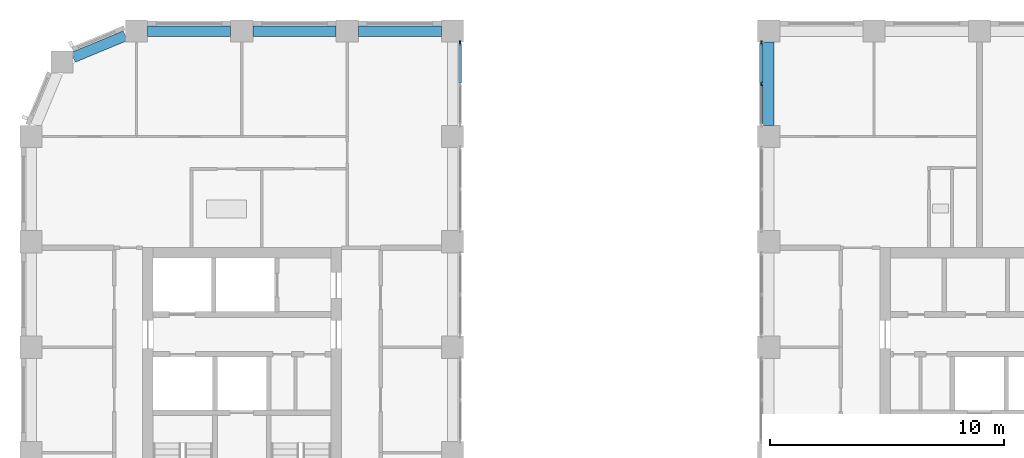
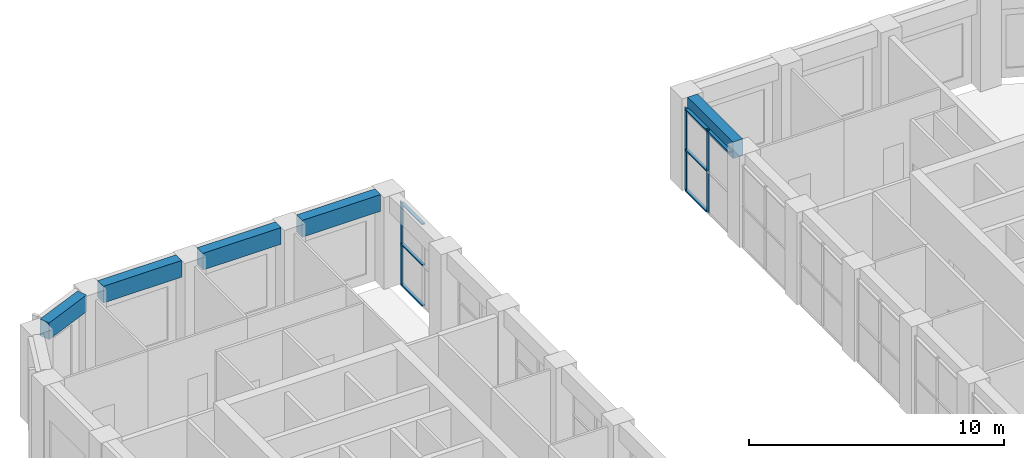
# One storey, part 6 of 19: 10 members, 5 beams, 2 elements without a shape of their own.
"""IFC4 building model written with IfcOpenShell, lengths in metres."""

from ifc_helpers import new_model, si_unit, direction, frame, origin, origin_2d, place, context, subcontext, project, spatial, rectangle, extrude, material, material_profile, profile_set, type_object, element, aggregate, save


model = new_model("IFC4")

# Units and contexts
model_context = context("Model", 3, precision=1e-05, world=origin(), true_north=direction((0.0, 1.0)))
body_context = subcontext(model_context, "Body", "Model", "MODEL_VIEW")
ifc_project = project(units=[si_unit("LENGTHUNIT", "METRE"), si_unit("AREAUNIT", "SQUARE_METRE"), si_unit("VOLUMEUNIT", "CUBIC_METRE"), si_unit("PLANEANGLEUNIT", "RADIAN"), si_unit("MASSUNIT", "GRAM", prefix="KILO")], contexts=[model_context])

# Site, building, storey
site_placement = place(None, origin())
site = spatial("IfcSite", under=ifc_project, at=site_placement, CompositionType="ELEMENT")
building_placement = place(site_placement, origin())
building = spatial("IfcBuilding", under=site, at=building_placement, Name="Girih Gate Residences", CompositionType="ELEMENT")
storey_placement = place(building_placement, frame((0.0, 0.0, 163.800048828125)))
storey = spatial("IfcBuildingStorey", under=building, at=storey_placement, Name="L45", CompositionType="ELEMENT", Elevation=163.800048828125)

# Curtain wall, member
ifc_material_1 = material(Name="Aluminium curtain wall frame", Category="aluminium")
curtain_wall_type = type_object("IfcCurtainWallType", Name="Curtain wall CW-7 portal lounge glazing", PredefinedType="NOTDEFINED", material=ifc_material_1)
curtain_wall_1_placement = place(storey_placement, origin())
curtain_wall_1 = element("IfcCurtainWall", 1, at=curtain_wall_1_placement, inside=storey, type_object=curtain_wall_type, Name="CW-7 Portal lounge glazing E0180_0000.10", PredefinedType="NOTDEFINED")
ifc_material_profile_1 = material_profile(ifc_material_1, rectangle(XDim=0.06005859375, YDim=0.179931640625, at=origin_2d()))
ifc_profile_set_1 = profile_set([ifc_material_profile_1], Name="Aluminium curtain wall frame")
member_type_1 = type_object("IfcMemberType", Name="Curtain wall mullion 60x180", PredefinedType="MULLION", material=ifc_profile_set_1)
member_1_placement = place(storey_placement, frame((18.31494140625, 48.9951171875, 0.0), z_axis=(0.0, 0.0, 1.0), x_axis=(-1.0, 0.0, 0.0)))
member_1 = element("IfcMember", 2, at=member_1_placement, type_object=member_type_1, Name="CW-7 mullion 3", PredefinedType="MULLION", context=body_context, shape_type="SweptSolid", body=[
    extrude(rectangle(XDim=0.06005859375, YDim=0.179931640625, at=origin_2d()), origin(), (0.0, 0.0, 1.0), 3.949951171875),
])

# Curtain wall, members
curtain_wall_2_placement = place(storey_placement, origin())
curtain_wall_2 = element("IfcCurtainWall", 3, at=curtain_wall_2_placement, inside=storey, type_object=curtain_wall_type, Name="CW-7 Portal lounge glazing W0315_0495.0", PredefinedType="NOTDEFINED")
member_2_placement = place(storey_placement, frame((31.18505859375, 48.9951171875, 0.0), z_axis=(0.0, 0.0, 1.0), x_axis=(1.0, 0.0, 0.0)))
member_2 = element("IfcMember", 4, at=member_2_placement, type_object=member_type_1, Name="CW-7 mullion 1", PredefinedType="MULLION", context=body_context, shape_type="SweptSolid", body=[
    extrude(rectangle(XDim=0.06005859375, YDim=0.179931640625, at=origin_2d()), origin(), (0.0, 0.0, 1.0), 3.949951171875),
])
member_3_placement = place(storey_placement, frame((31.18505859375, 47.25, 0.0), z_axis=(0.0, 0.0, 1.0), x_axis=(1.0, 0.0, 0.0)))
member_3 = element("IfcMember", 5, at=member_3_placement, type_object=member_type_1, Name="CW-7 mullion 2", PredefinedType="MULLION", context=body_context, shape_type="SweptSolid", body=[
    extrude(rectangle(XDim=0.06005859375, YDim=0.179931640625, at=origin_2d()), origin(), (0.0, 0.0, 1.0), 3.949951171875),
])

# Member
ifc_material_profile_2 = material_profile(ifc_material_1, rectangle(XDim=0.139892578125, YDim=0.06005859375, at=origin_2d()))
ifc_profile_set_2 = profile_set([ifc_material_profile_2], Name="Aluminium curtain wall frame")
member_type_2 = type_object("IfcMemberType", Name="Curtain wall transom 60x140", PredefinedType="USERDEFINED", material=ifc_profile_set_2)
member_4_placement = place(storey_placement, frame((18.31494140625, 47.280029296875, 0.030029296875), z_axis=(0.0, 1.0, 0.0), x_axis=(-1.0, 0.0, 0.0)))
member_4 = element("IfcMember", 6, at=member_4_placement, type_object=member_type_2, Name="CW-7 transom 2.1", ObjectType="TRANSOM", PredefinedType="USERDEFINED", context=body_context, shape_type="SweptSolid", body=[
    extrude(rectangle(XDim=0.139892578125, YDim=0.06005859375, at=origin_2d()), origin(), (0.0, 0.0, 1.0), 1.68505859375),
])

member_5_placement = place(storey_placement, frame((18.31494140625, 47.280029296875, 1.974853515625), z_axis=(0.0, 1.0, 0.0), x_axis=(-1.0, 0.0, 0.0)))
member_5 = element("IfcMember", 7, at=member_5_placement, type_object=member_type_2, Name="CW-7 transom 2.2", ObjectType="TRANSOM", PredefinedType="USERDEFINED", context=body_context, shape_type="SweptSolid", body=[
    extrude(rectangle(XDim=0.139892578125, YDim=0.06005859375, at=origin_2d()), origin(), (0.0, 0.0, 1.0), 1.68505859375),
])

member_6_placement = place(storey_placement, frame((18.31494140625, 47.280029296875, 3.919921875), z_axis=(0.0, 1.0, 0.0), x_axis=(-1.0, 0.0, 0.0)))
member_6 = element("IfcMember", 8, at=member_6_placement, type_object=member_type_2, Name="CW-7 transom 2.3", ObjectType="TRANSOM", PredefinedType="USERDEFINED", context=body_context, shape_type="SweptSolid", body=[
    extrude(rectangle(XDim=0.139892578125, YDim=0.06005859375, at=origin_2d()), origin(), (0.0, 0.0, 1.0), 1.68505859375),
])

aggregate(curtain_wall_1, [member_1, member_4, member_5, member_6])

member_7_placement = place(storey_placement, frame((31.18505859375, 48.965087890625, 0.030029296875), z_axis=(0.0, -1.0, 0.0), x_axis=(1.0, 0.0, 0.0)))
member_7 = element("IfcMember", 9, at=member_7_placement, type_object=member_type_2, Name="CW-7 transom 1.1", ObjectType="TRANSOM", PredefinedType="USERDEFINED", context=body_context, shape_type="SweptSolid", body=[
    extrude(rectangle(XDim=0.139892578125, YDim=0.06005859375, at=origin_2d()), origin(), (0.0, 0.0, 1.0), 1.68505859375),
])

member_8_placement = place(storey_placement, frame((31.18505859375, 48.965087890625, 1.974853515625), z_axis=(0.0, -1.0, 0.0), x_axis=(1.0, 0.0, 0.0)))
member_8 = element("IfcMember", 10, at=member_8_placement, type_object=member_type_2, Name="CW-7 transom 1.2", ObjectType="TRANSOM", PredefinedType="USERDEFINED", context=body_context, shape_type="SweptSolid", body=[
    extrude(rectangle(XDim=0.139892578125, YDim=0.06005859375, at=origin_2d()), origin(), (0.0, 0.0, 1.0), 1.68505859375),
])

member_9_placement = place(storey_placement, frame((31.18505859375, 48.965087890625, 3.919921875), z_axis=(0.0, -1.0, 0.0), x_axis=(1.0, 0.0, 0.0)))
member_9 = element("IfcMember", 11, at=member_9_placement, type_object=member_type_2, Name="CW-7 transom 1.3", ObjectType="TRANSOM", PredefinedType="USERDEFINED", context=body_context, shape_type="SweptSolid", body=[
    extrude(rectangle(XDim=0.139892578125, YDim=0.06005859375, at=origin_2d()), origin(), (0.0, 0.0, 1.0), 1.68505859375),
])

member_10_placement = place(storey_placement, frame((31.18505859375, 47.219970703125, 3.919921875), z_axis=(0.0, -1.0, 0.0), x_axis=(1.0, 0.0, 0.0)))
member_10 = element("IfcMember", 12, at=member_10_placement, type_object=member_type_2, Name="CW-7 transom 2.3", ObjectType="TRANSOM", PredefinedType="USERDEFINED", context=body_context, shape_type="SweptSolid", body=[
    extrude(rectangle(XDim=0.139892578125, YDim=0.06005859375, at=origin_2d()), origin(), (0.0, 0.0, 1.0), 1.68505859375),
])

aggregate(curtain_wall_2, [member_2, member_3, member_7, member_8, member_9, member_10])

# Beams
ifc_material_2 = material(Name="Concrete C60/75", Category="concrete")
ifc_material_profile_3 = material_profile(ifc_material_2, rectangle(XDim=0.449951171875, YDim=0.800048828125, at=origin_2d()))
ifc_profile_set_3 = profile_set([ifc_material_profile_3], Name="Concrete C60/75")
beam_type = type_object("IfcBeamType", Name="Spandrel girder RC 450x800 Concrete C60/75", PredefinedType="BEAM", material=ifc_profile_set_3)
for number, where, z_axis, x_axis, name in (
    (13, (17.52490234375, 49.5, 4.0), (-1.0, 0.0, 0.0), (0.0, -1.0, 0.0), "Spandrel girder SP-P5L-P4L L45"),
    (14, (13.02490234375, 49.5, 4.0), (-1.0, 0.0, 0.0), (0.0, -1.0, 0.0), "Spandrel girder SP-P4L-P3L L45"),
    (15, (8.52490234375, 49.5, 4.0), (-1.0, 0.0, 0.0), (0.0, -1.0, 0.0), "Spandrel girder SP-P3L-P2L L45"),
):
    element("IfcBeam", number, at=place(storey_placement, frame(where, z_axis=z_axis, x_axis=x_axis)), inside=storey, type_object=beam_type, Name=name, PredefinedType="BEAM", context=body_context, shape_type="SweptSolid", body=[
        extrude(rectangle(XDim=0.449951171875, YDim=0.800048828125, at=origin_2d()), origin(), (0.0, 0.0, 1.0), 3.5498046875),
    ])
beam_1_placement = place(storey_placement, frame((4.02490234375, 49.30322265625, 4.0), z_axis=(-0.923870256451, -0.382705825988, 0.0), x_axis=(0.382705825988, -0.923870256451, 0.0)))
element("IfcBeam", 16, at=beam_1_placement, inside=storey, type_object=beam_type, Name="Spandrel girder SP-P2L-P1LSE L45", PredefinedType="BEAM", context=body_context, shape_type="SweptSolid", body=[
    extrude(rectangle(XDim=0.449951171875, YDim=0.800048828125, at=origin_2d()), origin(), (0.0, 0.0, 1.0), 2.415771484375),
])
beam_2_placement = place(storey_placement, frame((31.5, 49.02490234375, 4.0), z_axis=(0.0, -1.0, 0.0), x_axis=(1.0, 0.0, 0.0)))
element("IfcBeam", 17, at=beam_2_placement, inside=storey, type_object=beam_type, Name="Spandrel girder SP-P8L-P8K L45", PredefinedType="BEAM", context=body_context, shape_type="SweptSolid", body=[
    extrude(rectangle(XDim=0.449951171875, YDim=0.800048828125, at=origin_2d()), origin(), (0.0, 0.0, 1.0), 3.5498046875),
])

save(model, "model.ifc")
